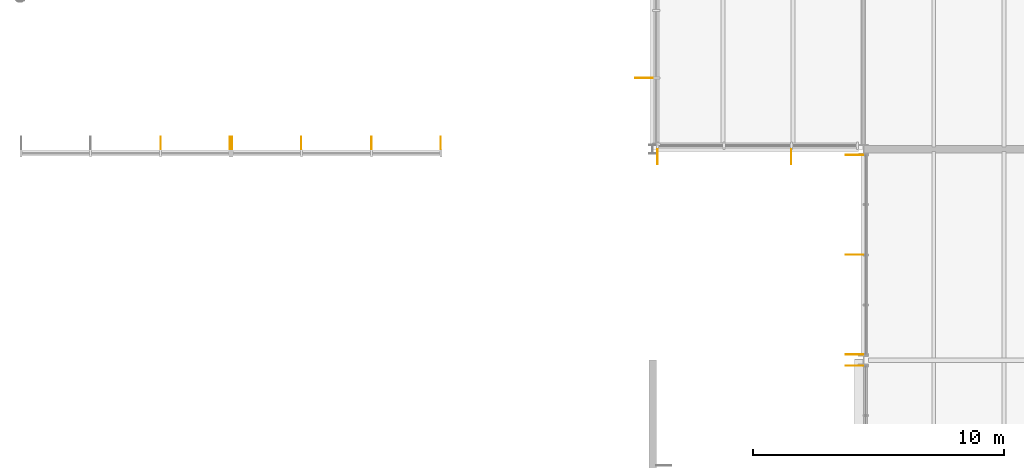
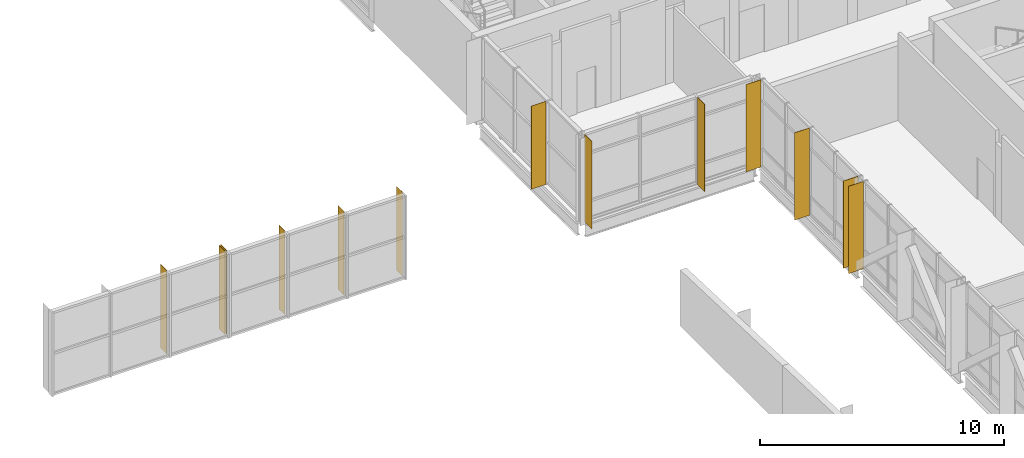
# One storey, part 67 of 72: 13 shading devices.
"""IFC4 building model written with IfcOpenShell, lengths in metres."""

import ifcopenshell
import ifcopenshell.guid

model = None  # the IFC model being written
_history = None  # IfcOwnerHistory: only IFC2X3 demands one
_inside = {}  # id of a spatial element -> (the spatial element, [elements in it])
_under = {}  # id of a project, library or spatial element -> (it, [spatial elements below it])
_declared = {}  # id of a project -> (the project, [libraries it declares])
_typed = {}  # id of a type object -> (the type object, [elements of that type])
_made_of = {}  # id of a material, layer set ... -> (it, [elements and type objects made of it])


def new_model(schema):
    """Start an empty IFC model of exactly this schema.

    Asked for "IFC4X3", IfcOpenShell would pick the latest addendum, in which some entities
    have other attributes; the version numbers below select the first issue.
    IFC2X3 requires an IfcOwnerHistory on every rooted entity: one is made here for all.
    """
    global model, _history
    if schema == "IFC4X3":
        model = ifcopenshell.file(schema_version=(4, 3, 0, 0))
    else:
        model = ifcopenshell.file(schema=schema)
    _inside.clear()
    _under.clear()
    _declared.clear()
    _typed.clear()
    _made_of.clear()
    _history = None
    if model.schema == "IFC2X3":
        org = make("IfcOrganization", Name="unknown")
        user = make(
            "IfcPersonAndOrganization",
            ThePerson=make("IfcPerson", FamilyName="unknown"),
            TheOrganization=org,
        )
        app = make(
            "IfcApplication",
            ApplicationDeveloper=org,
            Version="unknown",
            ApplicationFullName="unknown",
            ApplicationIdentifier="unknown",
        )
        _history = make(
            "IfcOwnerHistory",
            OwningUser=user,
            OwningApplication=app,
            ChangeAction="ADDED",
            CreationDate=0,
        )
    return model


def make(cls, **values):
    """One entity of the class cls with the attributes given. An attribute that is None is left unset."""
    return model.create_entity(
        cls, **{name: value for name, value in values.items() if value is not None}
    )


def rooted(cls, **values):
    """An entity with a GlobalId (a new one), such as an element, a storey or a relation."""
    return make(cls, GlobalId=ifcopenshell.guid.new(), OwnerHistory=_history, **values)


def si_unit(unit_type, name, prefix=None):
    """IfcSIUnit, for example si_unit("LENGTHUNIT", "METRE", prefix="MILLI")."""
    return make("IfcSIUnit", UnitType=unit_type, Prefix=prefix, Name=name)


def assignment(units):
    """IfcUnitAssignment: the units of a project."""
    return None if units is None else make("IfcUnitAssignment", Units=units)


def point(xyz):
    """IfcCartesianPoint."""
    return None if xyz is None else make("IfcCartesianPoint", Coordinates=xyz)


def direction(xyz):
    """IfcDirection."""
    return None if xyz is None else make("IfcDirection", DirectionRatios=xyz)


def frame(location, z_axis=None, x_axis=None):
    """IfcAxis2Placement3D, a coordinate frame: its origin and axes. An axis left out is left unset."""
    return make(
        "IfcAxis2Placement3D",
        Location=point(location),
        Axis=direction(z_axis),
        RefDirection=direction(x_axis),
    )


def frame_2d(location, x_axis=None):
    """IfcAxis2Placement2D, a coordinate frame in the plane: its origin and x axis."""
    return make(
        "IfcAxis2Placement2D", Location=point(location), RefDirection=direction(x_axis)
    )


def origin():
    """The frame at (0, 0, 0) with its axes left unset."""
    return frame((0.0, 0.0, 0.0))


def origin_2d():
    """The frame at (0, 0) in the plane with its x axis left unset."""
    return frame_2d((0.0, 0.0))


def place(relative_to, where):
    """IfcLocalPlacement: puts the frame where relative to a parent placement (None: the world)."""
    return make(
        "IfcLocalPlacement", PlacementRelTo=relative_to, RelativePlacement=where
    )


def context(
    kind, dimensions, precision=None, world=None, true_north=None, identifier=None
):
    """IfcGeometricRepresentationContext, for example the 3D "Model" context."""
    return make(
        "IfcGeometricRepresentationContext",
        ContextIdentifier=identifier,
        ContextType=kind,
        CoordinateSpaceDimension=dimensions,
        Precision=precision,
        WorldCoordinateSystem=world,
        TrueNorth=true_north,
    )


def subcontext(parent, identifier, kind, view, scale=None):
    """IfcGeometricRepresentationSubContext, for example "Body" below "Model"."""
    return make(
        "IfcGeometricRepresentationSubContext",
        ContextIdentifier=identifier,
        ContextType=kind,
        ParentContext=parent,
        TargetScale=scale,
        TargetView=view,
    )


def project(units=None, contexts=None):
    """IfcProject with its units and contexts."""
    return rooted(
        "IfcProject",
        Name="project",
        RepresentationContexts=contexts,
        UnitsInContext=assignment(units),
    )


def spatial(cls, under=None, at=None, **own):
    """A site, building, storey or space (cls), placed at a placement, below another one or the project."""
    s = rooted(cls, ObjectPlacement=at, **own)
    if under is not None:
        _under.setdefault(under.id(), (under, []))[1].append(s)
    return s


def profile(cls, at=None, kind="AREA", **sizes):
    """A parametric profile (cls). Its sizes go by their IFC names, for example OverallWidth=200.0."""
    return make(cls, ProfileType=kind, Position=at, **sizes)


def rectangle(**sizes):
    """IfcRectangleProfileDef."""
    return profile("IfcRectangleProfileDef", **sizes)


def extrude(swept, where, along, depth):
    """IfcExtrudedAreaSolid: the profile swept, set in the frame where, extruded along a direction by depth."""
    return make(
        "IfcExtrudedAreaSolid",
        SweptArea=swept,
        Position=where,
        ExtrudedDirection=direction(along),
        Depth=depth,
    )


def shape(context_of_items, identifier, shape_type, items):
    """IfcShapeRepresentation: the items that make up one representation, for example the "Body"."""
    return make(
        "IfcShapeRepresentation",
        ContextOfItems=context_of_items,
        RepresentationIdentifier=identifier,
        RepresentationType=shape_type,
        Items=items,
    )


def material(Name=None, Category=None):
    """IfcMaterial."""
    return make("IfcMaterial", Name=Name, Category=Category)


def layer(
    of_material, thickness, ventilated=None, Name=None, Category=None, Priority=None
):
    """IfcMaterialLayer: one layer of a wall or slab, of a material (None: an air gap)."""
    return make(
        "IfcMaterialLayer",
        Material=of_material,
        LayerThickness=thickness,
        IsVentilated=ventilated,
        Name=Name,
        Category=Category,
        Priority=Priority,
    )


def layer_set(layers, Name=None):
    """IfcMaterialLayerSet."""
    return make("IfcMaterialLayerSet", MaterialLayers=layers, LayerSetName=Name)


def made_of(thing, what):
    """Note that an element or type object is made of a material, layer set ...; save() writes the relation."""
    if what is not None:
        _made_of.setdefault(what.id(), (what, []))[1].append(thing)
    return thing


def type_object(cls, material=None, **own):
    """A type object (cls), such as IfcWallType, which elements share."""
    return made_of(rooted(cls, **own), material)


def element(
    cls,
    number,
    at=None,
    inside=None,
    cuts=None,
    type_object=None,
    material=None,
    context=None,
    identifier="Body",
    shape_type=None,
    held_by="IfcProductDefinitionShape",
    body=None,
    shapes=None,
    **own,
):
    """One element of the class cls, such as IfcWall. Its Tag is "e" and its number.

    at: its placement. inside: the storey or other place that contains it. cuts: it is an
    opening in that element (IfcRelVoidsElement). A single representation is given by context,
    identifier, shape_type and body (its items); several are given by shapes. held_by: the class
    of the entity that holds the representations. save() writes the other relations.
    """
    e = rooted(cls, Tag="e%d" % number, ObjectPlacement=at, **own)
    if body is not None:
        shapes = [shape(context, identifier, shape_type, body)]
    if shapes is not None:
        e.Representation = make(held_by, Representations=shapes)
    if inside is not None:
        _inside.setdefault(inside.id(), (inside, []))[1].append(e)
    if cuts is not None:
        rooted(
            "IfcRelVoidsElement", RelatingBuildingElement=cuts, RelatedOpeningElement=e
        )
    if type_object is not None:
        _typed.setdefault(type_object.id(), (type_object, []))[1].append(e)
    return made_of(e, material)


def aggregate(whole, parts):
    """IfcRelAggregates: a whole, such as a stair, and the parts it consists of."""
    return rooted("IfcRelAggregates", RelatingObject=whole, RelatedObjects=parts)


def save(model, path):
    """Write the relations noted so far, then the file.

    IfcRelAggregates (storeys below a building ...), IfcRelContainedInSpatialStructure (elements
    in a storey), IfcRelDefinesByType, IfcRelAssociatesMaterial and IfcRelDeclares: one each for
    every whole, place, type object, material and project.
    """
    for whole, parts in _under.values():
        aggregate(whole, parts)
    for where, things in _inside.values():
        rooted(
            "IfcRelContainedInSpatialStructure",
            RelatedElements=things,
            RelatingStructure=where,
        )
    for kind, things in _typed.values():
        rooted("IfcRelDefinesByType", RelatedObjects=things, RelatingType=kind)
    for what, things in _made_of.values():
        rooted("IfcRelAssociatesMaterial", RelatedObjects=things, RelatingMaterial=what)
    for by, libraries in _declared.values():
        rooted("IfcRelDeclares", RelatingContext=by, RelatedDefinitions=libraries)
    model.write(path)


model = new_model("IFC4")

# Units and contexts
model_context = context("Model", 3, precision=1e-05, world=origin(), true_north=direction((0.0, 1.0)))
body_context = subcontext(model_context, "Body", "Model", "MODEL_VIEW")
ifc_project = project(units=[si_unit("LENGTHUNIT", "METRE"), si_unit("AREAUNIT", "SQUARE_METRE"), si_unit("VOLUMEUNIT", "CUBIC_METRE"), si_unit("PLANEANGLEUNIT", "RADIAN"), si_unit("MASSUNIT", "GRAM", prefix="KILO")], contexts=[model_context])

# Site, building, storey
site_placement = place(None, origin())
site = spatial("IfcSite", under=ifc_project, at=site_placement, CompositionType="ELEMENT")
building_placement = place(site_placement, origin())
building = spatial("IfcBuilding", under=site, at=building_placement, Name="Hlaing Beacon Police Headquarters", CompositionType="ELEMENT")
storey_placement = place(building_placement, frame((0.0, 0.0, 14.39990234375)))
storey = spatial("IfcBuildingStorey", under=building, at=storey_placement, Name="L03", CompositionType="ELEMENT", Elevation=14.39990234375)

# Shading devices
ifc_material_1 = material(Name="Aluminium 6063-T5 anodised", Category="aluminium")
ifc_layer_1 = layer(ifc_material_1, 0.011962890625)
ifc_layer_set_1 = layer_set([ifc_layer_1], Name="Aluminium 6063-T5 anodised")
shading_device_type_1 = type_object("IfcShadingDeviceType", Name="Aluminium fin 12x500", PredefinedType="JALOUSIE", material=ifc_layer_set_1)
for number, where, z_axis, x_axis, name in (
    (1, (83.9599609375, 67.449951171875, 0.304931640625), (0.0, 0.0, 1.0), (-1.0, 0.0, 0.0), "Fin L03 N001.0"),
    (2, (81.199951171875, 67.449951171875, 0.304931640625), (0.0, 0.0, 1.0), (-1.0, 0.0, 0.0), "Fin L03 N001.1"),
    (3, (78.39990234375, 67.449951171875, 0.304931640625), (0.0, 0.0, 1.0), (-1.0, 0.0, 0.0), "Fin L03 N001.2"),
    (4, (75.639892578125, 67.449951171875, 0.304931640625), (0.0, 0.0, 1.0), (-1.0, 0.0, 0.0), "Fin L03 N001.3"),
    (5, (75.56005859375, 67.449951171875, 0.304931640625), (0.0, 0.0, 1.0), (-1.0, 0.0, 0.0), "Fin L03 N002.0"),
    (6, (72.800048828125, 67.449951171875, 0.304931640625), (0.0, 0.0, 1.0), (-1.0, 0.0, 0.0), "Fin L03 N002.1"),
):
    element("IfcShadingDevice", number, at=place(storey_placement, frame(where, z_axis=z_axis, x_axis=x_axis)), inside=storey, type_object=shading_device_type_1, Name=name, PredefinedType="JALOUSIE", context=body_context, shape_type="SweptSolid", body=[
        extrude(rectangle(XDim=0.011962890625, YDim=0.5, at=origin_2d()), origin(), (0.0, 0.0, 1.0), 4.1953125),
    ])
ifc_material_2 = material(Name="Aluminium 6063-T5 anodised", Category="aluminium")
ifc_layer_2 = layer(ifc_material_2, 0.011962890625)
ifc_layer_set_2 = layer_set([ifc_layer_2], Name="Aluminium 6063-T5 anodised")
shading_device_type_2 = type_object("IfcShadingDeviceType", Name="Aluminium fin 12x600", PredefinedType="JALOUSIE", material=ifc_layer_set_2)
for number, where, z_axis, x_axis, name in (
    (7, (92.590087890625, 66.89990234375, 0.0), (0.0, 0.0, 1.0), (1.0, 0.0, 0.0), "Fin L03 S035.0"),
    (8, (97.925537109375, 66.89990234375, 0.0), (0.0, 0.0, 1.0), (1.0, 0.0, 0.0), "Fin L03 S035.2"),
):
    element("IfcShadingDevice", number, at=place(storey_placement, frame(where, z_axis=z_axis, x_axis=x_axis)), inside=storey, type_object=shading_device_type_2, Name=name, PredefinedType="JALOUSIE", context=body_context, shape_type="SweptSolid", body=[
        extrude(rectangle(XDim=0.011962890625, YDim=0.60009765625, at=origin_2d()), origin(), (0.0, 0.0, 1.0), 4.3701171875),
    ])
ifc_material_3 = material(Name="Aluminium 6063-T5 anodised", Category="aluminium")
ifc_layer_3 = layer(ifc_material_3, 0.01611328125)
ifc_layer_set_3 = layer_set([ifc_layer_3], Name="Aluminium 6063-T5 anodised")
shading_device_type_3 = type_object("IfcShadingDeviceType", Name="Aluminium fin 16x700", PredefinedType="JALOUSIE", material=ifc_layer_set_3)
shading_device_placement = place(storey_placement, frame((92.050048828125, 70.051025390625, 0.2080078125), z_axis=(0.0, 0.0, 1.0), x_axis=(0.0, -1.0, 0.0)))
element("IfcShadingDevice", 9, at=shading_device_placement, inside=storey, type_object=shading_device_type_3, Name="Fin L03 W034.2", PredefinedType="JALOUSIE", context=body_context, shape_type="SweptSolid", body=[
    extrude(rectangle(XDim=0.01611328125, YDim=0.699951171875, at=origin_2d()), origin(), (0.0, 0.0, 1.0), 4.162109375),
])
for number, where, z_axis, x_axis, name in (
    (10, (100.449951171875, 66.9833984375, 0.0), (0.0, 0.0, 1.0), (0.0, -1.0, 0.0), "Fin L03 W036.0"),
    (11, (100.449951171875, 63.001953125, 0.0), (0.0, 0.0, 1.0), (0.0, -1.0, 0.0), "Fin L03 W036.2"),
    (12, (100.449951171875, 59.0205078125, 0.0), (0.0, 0.0, 1.0), (0.0, -1.0, 0.0), "Fin L03 W036.4"),
    (13, (100.449951171875, 58.57958984375, 0.0), (0.0, 0.0, 1.0), (0.0, -1.0, 0.0), "Fin L03 W037.0"),
):
    element("IfcShadingDevice", number, at=place(storey_placement, frame(where, z_axis=z_axis, x_axis=x_axis)), inside=storey, type_object=shading_device_type_3, Name=name, PredefinedType="JALOUSIE", context=body_context, shape_type="SweptSolid", body=[
        extrude(rectangle(XDim=0.01611328125, YDim=0.699951171875, at=origin_2d()), origin(), (0.0, 0.0, 1.0), 4.3701171875),
    ])

save(model, "model.ifc")
